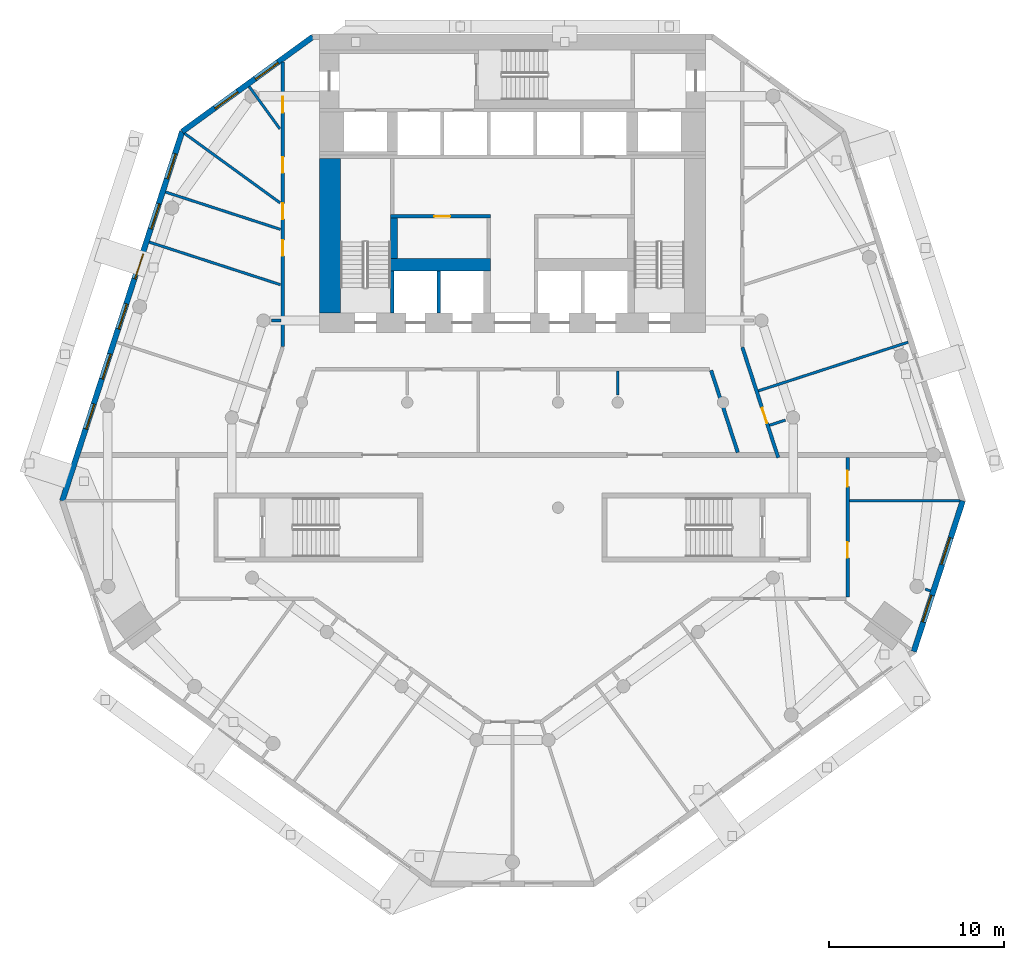
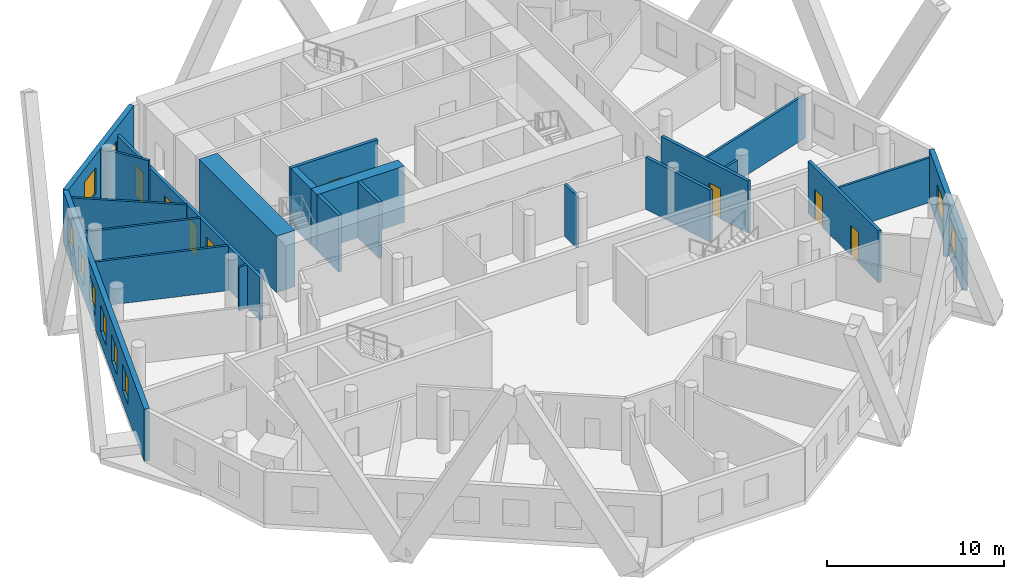
# One storey, part 5 of 10: 23 walls, 10 windows, 8 doors, 18 openings.
"""IFC4 building model written with IfcOpenShell, lengths in metres."""

from ifc_helpers import new_model, si_unit, direction, frame, frame_2d, origin, place, context, subcontext, project, spatial, rectangle, extrude, material, layer, layer_set, type_object, element, fill, save


model = new_model("IFC4")

# Units and contexts
model_context = context("Model", 3, precision=1e-05, world=origin(), true_north=direction((0.0, 1.0)))
body_context = subcontext(model_context, "Body", "Model", "MODEL_VIEW")
ifc_project = project(units=[si_unit("LENGTHUNIT", "METRE"), si_unit("AREAUNIT", "SQUARE_METRE"), si_unit("VOLUMEUNIT", "CUBIC_METRE"), si_unit("PLANEANGLEUNIT", "RADIAN"), si_unit("MASSUNIT", "GRAM", prefix="KILO")], contexts=[model_context])

# Site, building, storey
site_placement = place(None, origin())
site = spatial("IfcSite", under=ifc_project, at=site_placement, CompositionType="ELEMENT")
building_placement = place(site_placement, origin())
building = spatial("IfcBuilding", under=site, at=building_placement, Name="White Candle Pilgrim Tower", CompositionType="ELEMENT")
storey_placement = place(building_placement, frame((0.0, 0.0, 102.5)))
storey = spatial("IfcBuildingStorey", under=building, at=storey_placement, Name="L22", CompositionType="ELEMENT", Elevation=102.5)

# Wall, openings, doors
ifc_material_1 = material(Name="Gypsum board on steel studs", Category="steel")
ifc_layer_1 = layer(ifc_material_1, 0.199951171875)
ifc_layer_set_1 = layer_set([ifc_layer_1], Name="Corridor wall 200 mm EI 45")
wall_type_1 = type_object("IfcWallType", Name="Corridor wall 200 mm EI 45", PredefinedType="PARTITIONING", material=ifc_layer_set_1)
wall_1_placement = place(storey_placement, frame((56.89990234375, 70.17431640625, 0.0), z_axis=(0.0, 0.0, 1.0), x_axis=(0.0, 1.0, 0.0)))
wall_1 = element("IfcWall", 1, at=wall_1_placement, inside=storey, type_object=wall_type_1, Name="WL-L22-P003", PredefinedType="PARTITIONING", context=body_context, shape_type="SweptSolid", body=[
    extrude(rectangle(XDim=16.221923828125, YDim=0.199951171875, at=frame_2d((8.11083984375, 0.0))), origin(), (0.0, 0.0, 1.0), 3.0),
])
opening_1_placement = place(wall_1_placement, frame((5.176025390625, 0.0, 0.0)))
opening_1 = element("IfcOpeningElement", 2, at=opening_1_placement, cuts=wall_1, Name="Opening T07-119", PredefinedType="OPENING", context=body_context, shape_type="SweptSolid", body=[
    extrude(rectangle(XDim=0.89990234375, YDim=2.10009765625, at=frame_2d((0.449951171875, 1.050048828125))), frame((0.0, 0.10986328125, 0.0), z_axis=(0.0, -1.0, 0.0), x_axis=(1.0, 0.0, 0.0)), (0.0, 0.0, 1.0), 0.219970703125),
])
opening_2_placement = place(wall_1_placement, frame((7.272216796875, 0.0, 0.0)))
opening_2 = element("IfcOpeningElement", 3, at=opening_2_placement, cuts=wall_1, Name="Opening T07-120", PredefinedType="OPENING", context=body_context, shape_type="SweptSolid", body=[
    extrude(rectangle(XDim=0.89990234375, YDim=2.10009765625, at=frame_2d((0.449951171875, 1.050048828125))), frame((0.0, 0.10986328125, 0.0), z_axis=(0.0, -1.0, 0.0), x_axis=(1.0, 0.0, 0.0)), (0.0, 0.0, 1.0), 0.219970703125),
])
opening_3_placement = place(wall_1_placement, frame((9.91455078125, 0.0, 0.0)))
opening_3 = element("IfcOpeningElement", 4, at=opening_3_placement, cuts=wall_1, Name="Opening T07-121", PredefinedType="OPENING", context=body_context, shape_type="SweptSolid", body=[
    extrude(rectangle(XDim=0.89990234375, YDim=2.10009765625, at=frame_2d((0.449951171875, 1.050048828125))), frame((0.0, 0.10986328125, 0.0), z_axis=(0.0, -1.0, 0.0), x_axis=(1.0, 0.0, 0.0)), (0.0, 0.0, 1.0), 0.219970703125),
])
opening_4_placement = place(wall_1_placement, frame((13.338623046875, 0.0, 0.0)))
opening_4 = element("IfcOpeningElement", 5, at=opening_4_placement, cuts=wall_1, Name="Opening T07-122", PredefinedType="OPENING", context=body_context, shape_type="SweptSolid", body=[
    extrude(rectangle(XDim=0.89990234375, YDim=2.10009765625, at=frame_2d((0.449951171875, 1.050048828125))), frame((0.0, 0.10986328125, 0.0), z_axis=(0.0, -1.0, 0.0), x_axis=(1.0, 0.0, 0.0)), (0.0, 0.0, 1.0), 0.219970703125),
])
ifc_material_2 = material(Name="Steel door leaf", Category="steel")
door_type = type_object("IfcDoorType", Name="Fire door 900 x 2100 EI 30", OperationType="NOTDEFINED", PredefinedType="DOOR", material=ifc_material_2)
door_1_placement = place(opening_1_placement, origin())
door_1 = element("IfcDoor", 6, at=door_1_placement, inside=storey, type_object=door_type, Name="Door T07-119", OperationType="SINGLE_SWING_LEFT", OverallHeight=2.10009765625, OverallWidth=0.89990234375, PredefinedType="DOOR", context=body_context, shape_type="SweptSolid", body=[
    extrude(rectangle(XDim=0.89990234375, YDim=2.10009765625, at=frame_2d((0.449951171875, 1.050048828125))), frame((0.0, 0.02490234375, 0.0), z_axis=(0.0, -1.0, 0.0), x_axis=(1.0, 0.0, 0.0)), (0.0, 0.0, 1.0), 0.050048828125),
])
fill(opening_1, door_1)
door_2_placement = place(opening_2_placement, origin())
door_2 = element("IfcDoor", 7, at=door_2_placement, inside=storey, type_object=door_type, Name="Door T07-120", OperationType="SINGLE_SWING_RIGHT", OverallHeight=2.10009765625, OverallWidth=0.89990234375, PredefinedType="DOOR", context=body_context, shape_type="SweptSolid", body=[
    extrude(rectangle(XDim=0.89990234375, YDim=2.10009765625, at=frame_2d((0.449951171875, 1.050048828125))), frame((0.0, 0.02490234375, 0.0), z_axis=(0.0, -1.0, 0.0), x_axis=(1.0, 0.0, 0.0)), (0.0, 0.0, 1.0), 0.050048828125),
])
fill(opening_2, door_2)
door_3_placement = place(opening_3_placement, origin())
door_3 = element("IfcDoor", 8, at=door_3_placement, inside=storey, type_object=door_type, Name="Door T07-121", OperationType="SINGLE_SWING_LEFT", OverallHeight=2.10009765625, OverallWidth=0.89990234375, PredefinedType="DOOR", context=body_context, shape_type="SweptSolid", body=[
    extrude(rectangle(XDim=0.89990234375, YDim=2.10009765625, at=frame_2d((0.449951171875, 1.050048828125))), frame((0.0, 0.02490234375, 0.0), z_axis=(0.0, -1.0, 0.0), x_axis=(1.0, 0.0, 0.0)), (0.0, 0.0, 1.0), 0.050048828125),
])
fill(opening_3, door_3)
door_4_placement = place(opening_4_placement, origin())
door_4 = element("IfcDoor", 9, at=door_4_placement, inside=storey, type_object=door_type, Name="Door T07-122", OperationType="SINGLE_SWING_RIGHT", OverallHeight=2.10009765625, OverallWidth=0.89990234375, PredefinedType="DOOR", context=body_context, shape_type="SweptSolid", body=[
    extrude(rectangle(XDim=0.89990234375, YDim=2.10009765625, at=frame_2d((0.449951171875, 1.050048828125))), frame((0.0, 0.02490234375, 0.0), z_axis=(0.0, -1.0, 0.0), x_axis=(1.0, 0.0, 0.0)), (0.0, 0.0, 1.0), 0.050048828125),
])
fill(opening_4, door_4)

# Wall, opening, door
wall_2_placement = place(storey_placement, frame((83.10498046875, 70.143310546875, 0.0), z_axis=(0.0, 0.0, 1.0), x_axis=(0.309001809517, -0.951061450021, 0.0)))
wall_2 = element("IfcWall", 10, at=wall_2_placement, inside=storey, type_object=wall_type_1, Name="WL-L22-P005", PredefinedType="PARTITIONING", context=body_context, shape_type="SweptSolid", body=[
    extrude(rectangle(XDim=6.616943359375, YDim=0.199951171875, at=frame_2d((3.30859375, 0.0))), origin(), (0.0, 0.0, 1.0), 3.60009765625),
])
opening_5_placement = place(wall_2_placement, frame((3.640869140625, 0.0, 0.0)))
opening_5 = element("IfcOpeningElement", 11, at=opening_5_placement, cuts=wall_2, Name="Opening T07-126", PredefinedType="OPENING", context=body_context, shape_type="SweptSolid", body=[
    extrude(rectangle(XDim=0.89990234375, YDim=2.10009765625, at=frame_2d((0.449951171875, 1.050048828125))), frame((0.0, 0.10986328125, 0.0), z_axis=(0.0, -1.0, 0.0), x_axis=(1.0, 0.0, 0.0)), (0.0, 0.0, 1.0), 0.219970703125),
])
door_5_placement = place(opening_5_placement, origin())
door_5 = element("IfcDoor", 12, at=door_5_placement, inside=storey, type_object=door_type, Name="Door T07-126", OperationType="SINGLE_SWING_RIGHT", OverallHeight=2.10009765625, OverallWidth=0.89990234375, PredefinedType="DOOR", context=body_context, shape_type="SweptSolid", body=[
    extrude(rectangle(XDim=0.89990234375, YDim=2.10009765625, at=frame_2d((0.449951171875, 1.050048828125))), frame((0.0, 0.02490234375, 0.0), z_axis=(0.0, -1.0, 0.0), x_axis=(1.0, 0.0, 0.0)), (0.0, 0.0, 1.0), 0.050048828125),
])
fill(opening_5, door_5)

# Wall, openings, doors
wall_3_placement = place(storey_placement, frame((89.10009765625, 63.85009765625, 0.0), z_axis=(0.0, 0.0, 1.0), x_axis=(0.0, -1.0, 0.0)))
wall_3 = element("IfcWall", 13, at=wall_3_placement, inside=storey, type_object=wall_type_1, Name="WL-L22-P006", PredefinedType="PARTITIONING", context=body_context, shape_type="SweptSolid", body=[
    extrude(rectangle(XDim=7.9501953125, YDim=0.199951171875, at=frame_2d((3.97509765625, 0.0))), origin(), (0.0, 0.0, 1.0), 3.60009765625),
])
opening_6_placement = place(wall_3_placement, frame((4.806640625, 0.0, 0.0)))
opening_6 = element("IfcOpeningElement", 14, at=opening_6_placement, cuts=wall_3, Name="Opening T07-112", PredefinedType="OPENING", context=body_context, shape_type="SweptSolid", body=[
    extrude(rectangle(XDim=0.89990234375, YDim=2.10009765625, at=frame_2d((0.449951171875, 1.050048828125))), frame((0.0, 0.10986328125, 0.0), z_axis=(0.0, -1.0, 0.0), x_axis=(1.0, 0.0, 0.0)), (0.0, 0.0, 1.0), 0.219970703125),
])
opening_7_placement = place(wall_3_placement, frame((0.744140625, 0.0, 0.0)))
opening_7 = element("IfcOpeningElement", 15, at=opening_7_placement, cuts=wall_3, Name="Opening T07-127", PredefinedType="OPENING", context=body_context, shape_type="SweptSolid", body=[
    extrude(rectangle(XDim=0.89990234375, YDim=2.10009765625, at=frame_2d((0.449951171875, 1.050048828125))), frame((0.0, 0.10986328125, 0.0), z_axis=(0.0, -1.0, 0.0), x_axis=(1.0, 0.0, 0.0)), (0.0, 0.0, 1.0), 0.219970703125),
])
door_6_placement = place(opening_6_placement, origin())
door_6 = element("IfcDoor", 16, at=door_6_placement, inside=storey, type_object=door_type, Name="Door T07-112", OperationType="SINGLE_SWING_RIGHT", OverallHeight=2.10009765625, OverallWidth=0.89990234375, PredefinedType="DOOR", context=body_context, shape_type="SweptSolid", body=[
    extrude(rectangle(XDim=0.89990234375, YDim=2.10009765625, at=frame_2d((0.449951171875, 1.050048828125))), frame((0.0, 0.02490234375, 0.0), z_axis=(0.0, -1.0, 0.0), x_axis=(1.0, 0.0, 0.0)), (0.0, 0.0, 1.0), 0.050048828125),
])
fill(opening_6, door_6)
door_7_placement = place(opening_7_placement, origin())
door_7 = element("IfcDoor", 17, at=door_7_placement, inside=storey, type_object=door_type, Name="Door T07-127", OperationType="SINGLE_SWING_LEFT", OverallHeight=2.10009765625, OverallWidth=0.89990234375, PredefinedType="DOOR", context=body_context, shape_type="SweptSolid", body=[
    extrude(rectangle(XDim=0.89990234375, YDim=2.10009765625, at=frame_2d((0.449951171875, 1.050048828125))), frame((0.0, 0.02490234375, 0.0), z_axis=(0.0, -1.0, 0.0), x_axis=(1.0, 0.0, 0.0)), (0.0, 0.0, 1.0), 0.050048828125),
])
fill(opening_7, door_7)

# Wall
wall_4_placement = place(storey_placement, frame((82.84423828125, 64.14990234375, 0.0), z_axis=(0.0, 0.0, 1.0), x_axis=(-0.309031112369, 0.951051928965, 0.0)))
element("IfcWall", 18, at=wall_4_placement, inside=storey, type_object=wall_type_1, Name="WL-L22-P015", PredefinedType="PARTITIONING", context=body_context, shape_type="SweptSolid", body=[
    extrude(rectangle(XDim=4.921875, YDim=0.199951171875, at=frame_2d((2.4609375, 0.0))), origin(), (0.0, 0.0, 1.0), 3.60009765625),
])

# Wall, openings, windows
ifc_material_3 = material(Name="Precast concrete C40/50", Category="concrete")
ifc_layer_2 = layer(ifc_material_3, 0.320068359375)
ifc_layer_set_2 = layer_set([ifc_layer_2], Name="Facade wall EW1 precast concrete C40/50 pier wall with timber-lined reveals")
wall_type_2 = type_object("IfcWallType", Name="Facade wall EW1 precast concrete C40/50 pier wall with timber-lined reveals", PredefinedType="SOLIDWALL", material=ifc_layer_set_2)
wall_5_placement = place(storey_placement, frame((92.875732421875, 52.800537109375, 0.0), z_axis=(0.0, 0.0, 1.0), x_axis=(0.309014528868, 0.951057317384, 0.0)))
wall_5 = element("IfcWall", 19, at=wall_5_placement, inside=storey, type_object=wall_type_2, Name="Facade wall L22 E chamfer", PredefinedType="SOLIDWALL", context=body_context, shape_type="SweptSolid", body=[
    extrude(rectangle(XDim=9.028076171875, YDim=0.320068359375, at=frame_2d((4.51416015625, 0.0))), origin(), (0.0, 0.0, 1.0), 3.60009765625),
])
opening_8_placement = place(wall_5_placement, frame((1.763916015625, 0.0, 0.89990234375)))
opening_8 = element("IfcOpeningElement", 20, at=opening_8_placement, cuts=wall_5, Name="Opening W2", PredefinedType="OPENING", context=body_context, shape_type="SweptSolid", body=[
    extrude(rectangle(XDim=1.60009765625, YDim=1.800048828125, at=frame_2d((0.800048828125, 0.89990234375))), frame((0.0, 0.169921875, 0.0), z_axis=(0.0, -1.0, 0.0), x_axis=(1.0, 0.0, 0.0)), (0.0, 0.0, 1.0), 0.340087890625),
])
opening_9_placement = place(wall_5_placement, frame((5.214111328125, 0.0, 0.89990234375)))
opening_9 = element("IfcOpeningElement", 21, at=opening_9_placement, cuts=wall_5, Name="Opening W2", PredefinedType="OPENING", context=body_context, shape_type="SweptSolid", body=[
    extrude(rectangle(XDim=1.60009765625, YDim=1.800048828125, at=frame_2d((0.800048828125, 0.89990234375))), frame((0.0, 0.169921875, 0.0), z_axis=(0.0, -1.0, 0.0), x_axis=(1.0, 0.0, 0.0)), (0.0, 0.0, 1.0), 0.340087890625),
])
ifc_material_4 = material(Name="Timber frame with triple glazing", Category="wood")
window_type_1 = type_object("IfcWindowType", Name="Window W2 1600x1800 timber frame triple glazing", PartitioningType="SINGLE_PANEL", PredefinedType="WINDOW", material=ifc_material_4)
window_1_placement = place(opening_8_placement, origin())
window_1 = element("IfcWindow", 22, at=window_1_placement, inside=storey, type_object=window_type_1, Name="Window W2 L22 E chamfer 1", OverallHeight=1.800048828125, OverallWidth=1.60009765625, PartitioningType="SINGLE_PANEL", PredefinedType="WINDOW", context=body_context, shape_type="SweptSolid", body=[
    extrude(rectangle(XDim=1.60009765625, YDim=1.800048828125, at=frame_2d((0.800048828125, 0.89990234375))), frame((0.0, 0.070068359375, 0.0), z_axis=(0.0, -1.0, 0.0), x_axis=(1.0, 0.0, 0.0)), (0.0, 0.0, 1.0), 0.06005859375),
])
fill(opening_8, window_1)
window_2_placement = place(opening_9_placement, origin())
window_2 = element("IfcWindow", 23, at=window_2_placement, inside=storey, type_object=window_type_1, Name="Window W2 L22 E chamfer 2", OverallHeight=1.800048828125, OverallWidth=1.60009765625, PartitioningType="SINGLE_PANEL", PredefinedType="WINDOW", context=body_context, shape_type="SweptSolid", body=[
    extrude(rectangle(XDim=1.60009765625, YDim=1.800048828125, at=frame_2d((0.800048828125, 0.89990234375))), frame((0.0, 0.070068359375, 0.0), z_axis=(0.0, -1.0, 0.0), x_axis=(1.0, 0.0, 0.0)), (0.0, 0.0, 1.0), 0.06005859375),
])
fill(opening_9, window_2)

wall_6_placement = place(storey_placement, frame((58.614990234375, 87.840087890625, 0.0), z_axis=(0.0, 0.0, 1.0), x_axis=(-0.809006846007, -0.587799220069, 0.0)))
wall_6 = element("IfcWall", 24, at=wall_6_placement, inside=storey, type_object=wall_type_2, Name="Facade wall L22 NW chamfer", PredefinedType="SOLIDWALL", context=body_context, shape_type="SweptSolid", body=[
    extrude(rectangle(XDim=9.19921875, YDim=0.320068359375, at=frame_2d((4.599609375, 0.0))), origin(), (0.0, 0.0, 1.0), 3.60009765625),
])
opening_10_placement = place(wall_6_placement, frame((2.459716796875, 0.0, 0.89990234375)))
opening_10 = element("IfcOpeningElement", 25, at=opening_10_placement, cuts=wall_6, Name="Opening W2", PredefinedType="OPENING", context=body_context, shape_type="SweptSolid", body=[
    extrude(rectangle(XDim=1.60009765625, YDim=1.800048828125, at=frame_2d((0.800048828125, 0.89990234375))), frame((0.0, 0.169921875, 0.0), z_axis=(0.0, -1.0, 0.0), x_axis=(1.0, 0.0, 0.0)), (0.0, 0.0, 1.0), 0.340087890625),
])
opening_11_placement = place(wall_6_placement, frame((5.299560546875, 0.0, 0.89990234375)))
opening_11 = element("IfcOpeningElement", 26, at=opening_11_placement, cuts=wall_6, Name="Opening W2", PredefinedType="OPENING", context=body_context, shape_type="SweptSolid", body=[
    extrude(rectangle(XDim=1.60009765625, YDim=1.800048828125, at=frame_2d((0.800048828125, 0.89990234375))), frame((0.0, 0.169921875, 0.0), z_axis=(0.0, -1.0, 0.0), x_axis=(1.0, 0.0, 0.0)), (0.0, 0.0, 1.0), 0.340087890625),
])
window_3_placement = place(opening_10_placement, origin())
window_3 = element("IfcWindow", 27, at=window_3_placement, inside=storey, type_object=window_type_1, Name="Window W2 L22 NW chamfer 1", OverallHeight=1.800048828125, OverallWidth=1.60009765625, PartitioningType="SINGLE_PANEL", PredefinedType="WINDOW", context=body_context, shape_type="SweptSolid", body=[
    extrude(rectangle(XDim=1.60009765625, YDim=1.800048828125, at=frame_2d((0.800048828125, 0.89990234375))), frame((0.0, 0.070068359375, 0.0), z_axis=(0.0, -1.0, 0.0), x_axis=(1.0, 0.0, 0.0)), (0.0, 0.0, 1.0), 0.06005859375),
])
fill(opening_10, window_3)
window_4_placement = place(opening_11_placement, origin())
window_4 = element("IfcWindow", 28, at=window_4_placement, inside=storey, type_object=window_type_1, Name="Window W2 L22 NW chamfer 2", OverallHeight=1.800048828125, OverallWidth=1.60009765625, PartitioningType="SINGLE_PANEL", PredefinedType="WINDOW", context=body_context, shape_type="SweptSolid", body=[
    extrude(rectangle(XDim=1.60009765625, YDim=1.800048828125, at=frame_2d((0.800048828125, 0.89990234375))), frame((0.0, 0.070068359375, 0.0), z_axis=(0.0, -1.0, 0.0), x_axis=(1.0, 0.0, 0.0)), (0.0, 0.0, 1.0), 0.06005859375),
])
fill(opening_11, window_4)

wall_7_placement = place(storey_placement, frame((51.1728515625, 82.432861328125, 0.0), z_axis=(0.0, 0.0, 1.0), x_axis=(-0.30901996398, -0.951055551407, 0.0)))
wall_7 = element("IfcWall", 29, at=wall_7_placement, inside=storey, type_object=wall_type_2, Name="Facade wall L22 WNW", PredefinedType="SOLIDWALL", context=body_context, shape_type="SweptSolid", body=[
    extrude(rectangle(XDim=22.129150390625, YDim=0.320068359375, at=frame_2d((11.064453125, 0.0))), origin(), (0.0, 0.0, 1.0), 3.60009765625),
])
opening_12_placement = place(wall_7_placement, frame((1.314697265625, 0.0, 0.89990234375)))
opening_12 = element("IfcOpeningElement", 30, at=opening_12_placement, cuts=wall_7, Name="Opening W1", PredefinedType="OPENING", context=body_context, shape_type="SweptSolid", body=[
    extrude(rectangle(XDim=1.5, YDim=1.800048828125, at=frame_2d((0.75, 0.89990234375))), frame((0.0, 0.169921875, 0.0), z_axis=(0.0, -1.0, 0.0), x_axis=(1.0, 0.0, 0.0)), (0.0, 0.0, 1.0), 0.340087890625),
])
opening_13_placement = place(wall_7_placement, frame((4.314697265625, 0.0, 0.89990234375)))
opening_13 = element("IfcOpeningElement", 31, at=opening_13_placement, cuts=wall_7, Name="Opening W1", PredefinedType="OPENING", context=body_context, shape_type="SweptSolid", body=[
    extrude(rectangle(XDim=1.5, YDim=1.800048828125, at=frame_2d((0.75, 0.89990234375))), frame((0.0, 0.169921875, 0.0), z_axis=(0.0, -1.0, 0.0), x_axis=(1.0, 0.0, 0.0)), (0.0, 0.0, 1.0), 0.340087890625),
])
opening_14_placement = place(wall_7_placement, frame((7.314697265625, 0.0, 0.89990234375)))
opening_14 = element("IfcOpeningElement", 32, at=opening_14_placement, cuts=wall_7, Name="Opening W1", PredefinedType="OPENING", context=body_context, shape_type="SweptSolid", body=[
    extrude(rectangle(XDim=1.5, YDim=1.800048828125, at=frame_2d((0.75, 0.89990234375))), frame((0.0, 0.169921875, 0.0), z_axis=(0.0, -1.0, 0.0), x_axis=(1.0, 0.0, 0.0)), (0.0, 0.0, 1.0), 0.340087890625),
])
opening_15_placement = place(wall_7_placement, frame((10.314697265625, 0.0, 0.89990234375)))
opening_15 = element("IfcOpeningElement", 33, at=opening_15_placement, cuts=wall_7, Name="Opening W1", PredefinedType="OPENING", context=body_context, shape_type="SweptSolid", body=[
    extrude(rectangle(XDim=1.5, YDim=1.800048828125, at=frame_2d((0.75, 0.89990234375))), frame((0.0, 0.169921875, 0.0), z_axis=(0.0, -1.0, 0.0), x_axis=(1.0, 0.0, 0.0)), (0.0, 0.0, 1.0), 0.340087890625),
])
opening_16_placement = place(wall_7_placement, frame((13.314697265625, 0.0, 0.89990234375)))
opening_16 = element("IfcOpeningElement", 34, at=opening_16_placement, cuts=wall_7, Name="Opening W1", PredefinedType="OPENING", context=body_context, shape_type="SweptSolid", body=[
    extrude(rectangle(XDim=1.5, YDim=1.800048828125, at=frame_2d((0.75, 0.89990234375))), frame((0.0, 0.169921875, 0.0), z_axis=(0.0, -1.0, 0.0), x_axis=(1.0, 0.0, 0.0)), (0.0, 0.0, 1.0), 0.340087890625),
])
opening_17_placement = place(wall_7_placement, frame((16.314697265625, 0.0, 0.89990234375)))
opening_17 = element("IfcOpeningElement", 35, at=opening_17_placement, cuts=wall_7, Name="Opening W1", PredefinedType="OPENING", context=body_context, shape_type="SweptSolid", body=[
    extrude(rectangle(XDim=1.5, YDim=1.800048828125, at=frame_2d((0.75, 0.89990234375))), frame((0.0, 0.169921875, 0.0), z_axis=(0.0, -1.0, 0.0), x_axis=(1.0, 0.0, 0.0)), (0.0, 0.0, 1.0), 0.340087890625),
])
window_type_2 = type_object("IfcWindowType", Name="Window W1 1500x1800 timber frame triple glazing", PartitioningType="SINGLE_PANEL", PredefinedType="WINDOW", material=ifc_material_4)
window_5_placement = place(opening_12_placement, origin())
window_5 = element("IfcWindow", 36, at=window_5_placement, inside=storey, type_object=window_type_2, Name="Window W1 L22 WNW 1", OverallHeight=1.800048828125, OverallWidth=1.5, PartitioningType="SINGLE_PANEL", PredefinedType="WINDOW", context=body_context, shape_type="SweptSolid", body=[
    extrude(rectangle(XDim=1.5, YDim=1.800048828125, at=frame_2d((0.75, 0.89990234375))), frame((0.0, 0.070068359375, 0.0), z_axis=(0.0, -1.0, 0.0), x_axis=(1.0, 0.0, 0.0)), (0.0, 0.0, 1.0), 0.06005859375),
])
fill(opening_12, window_5)
window_6_placement = place(opening_13_placement, origin())
window_6 = element("IfcWindow", 37, at=window_6_placement, inside=storey, type_object=window_type_2, Name="Window W1 L22 WNW 2", OverallHeight=1.800048828125, OverallWidth=1.5, PartitioningType="SINGLE_PANEL", PredefinedType="WINDOW", context=body_context, shape_type="SweptSolid", body=[
    extrude(rectangle(XDim=1.5, YDim=1.800048828125, at=frame_2d((0.75, 0.89990234375))), frame((0.0, 0.070068359375, 0.0), z_axis=(0.0, -1.0, 0.0), x_axis=(1.0, 0.0, 0.0)), (0.0, 0.0, 1.0), 0.06005859375),
])
fill(opening_13, window_6)
window_7_placement = place(opening_14_placement, origin())
window_7 = element("IfcWindow", 38, at=window_7_placement, inside=storey, type_object=window_type_2, Name="Window W1 L22 WNW 3", OverallHeight=1.800048828125, OverallWidth=1.5, PartitioningType="SINGLE_PANEL", PredefinedType="WINDOW", context=body_context, shape_type="SweptSolid", body=[
    extrude(rectangle(XDim=1.5, YDim=1.800048828125, at=frame_2d((0.75, 0.89990234375))), frame((0.0, 0.070068359375, 0.0), z_axis=(0.0, -1.0, 0.0), x_axis=(1.0, 0.0, 0.0)), (0.0, 0.0, 1.0), 0.06005859375),
])
fill(opening_14, window_7)
window_8_placement = place(opening_15_placement, origin())
window_8 = element("IfcWindow", 39, at=window_8_placement, inside=storey, type_object=window_type_2, Name="Window W1 L22 WNW 4", OverallHeight=1.800048828125, OverallWidth=1.5, PartitioningType="SINGLE_PANEL", PredefinedType="WINDOW", context=body_context, shape_type="SweptSolid", body=[
    extrude(rectangle(XDim=1.5, YDim=1.800048828125, at=frame_2d((0.75, 0.89990234375))), frame((0.0, 0.070068359375, 0.0), z_axis=(0.0, -1.0, 0.0), x_axis=(1.0, 0.0, 0.0)), (0.0, 0.0, 1.0), 0.06005859375),
])
fill(opening_15, window_8)
window_9_placement = place(opening_16_placement, origin())
window_9 = element("IfcWindow", 40, at=window_9_placement, inside=storey, type_object=window_type_2, Name="Window W1 L22 WNW 5", OverallHeight=1.800048828125, OverallWidth=1.5, PartitioningType="SINGLE_PANEL", PredefinedType="WINDOW", context=body_context, shape_type="SweptSolid", body=[
    extrude(rectangle(XDim=1.5, YDim=1.800048828125, at=frame_2d((0.75, 0.89990234375))), frame((0.0, 0.070068359375, 0.0), z_axis=(0.0, -1.0, 0.0), x_axis=(1.0, 0.0, 0.0)), (0.0, 0.0, 1.0), 0.06005859375),
])
fill(opening_16, window_9)
window_10_placement = place(opening_17_placement, origin())
window_10 = element("IfcWindow", 41, at=window_10_placement, inside=storey, type_object=window_type_2, Name="Window W1 L22 WNW 6", OverallHeight=1.800048828125, OverallWidth=1.5, PartitioningType="SINGLE_PANEL", PredefinedType="WINDOW", context=body_context, shape_type="SweptSolid", body=[
    extrude(rectangle(XDim=1.5, YDim=1.800048828125, at=frame_2d((0.75, 0.89990234375))), frame((0.0, 0.070068359375, 0.0), z_axis=(0.0, -1.0, 0.0), x_axis=(1.0, 0.0, 0.0)), (0.0, 0.0, 1.0), 0.06005859375),
])
fill(opening_17, window_10)

# Walls
ifc_layer_3 = layer(ifc_material_1, 0.14990234375)
ifc_layer_set_3 = layer_set([ifc_layer_3], Name="Partition 150 mm EI 60")
wall_type_3 = type_object("IfcWallType", Name="Partition 150 mm EI 60", PredefinedType="PARTITIONING", material=ifc_layer_set_3)
wall_8_placement = place(storey_placement, frame((51.308837890625, 82.333984375, 0.0), z_axis=(0.0, 0.0, 1.0), x_axis=(0.809015103539, -0.587787854796, 0.0)))
element("IfcWall", 42, at=wall_8_placement, inside=storey, type_object=wall_type_3, Name="WL-L22-P016", PredefinedType="PARTITIONING", context=body_context, shape_type="SweptSolid", body=[
    extrude(rectangle(XDim=6.73291015625, YDim=0.14990234375, at=frame_2d((3.366455078125, 0.0))), origin(), (0.0, 0.0, 1.0), 3.10009765625),
])
wall_9_placement = place(storey_placement, frame((95.497314453125, 61.38671875, 0.0), z_axis=(0.0, 0.0, 1.0), x_axis=(-1.0, 0.0, 0.0)))
element("IfcWall", 43, at=wall_9_placement, inside=storey, type_object=wall_type_3, Name="WL-L22-P022", PredefinedType="PARTITIONING", context=body_context, shape_type="SweptSolid", body=[
    extrude(rectangle(XDim=6.29736328125, YDim=0.14990234375, at=frame_2d((3.148681640625, 0.0))), origin(), (0.0, 0.0, 1.0), 3.10009765625),
])
wall_10_placement = place(storey_placement, frame((54.98779296875, 85.007080078125, 0.0), z_axis=(0.0, 0.0, 1.0), x_axis=(0.587791638005, -0.809012354845, 0.0)))
element("IfcWall", 44, at=wall_10_placement, inside=storey, type_object=wall_type_3, Name="WL-L22-P024", PredefinedType="PARTITIONING", context=body_context, shape_type="SweptSolid", body=[
    extrude(rectangle(XDim=2.979736328125, YDim=0.14990234375, at=frame_2d((1.48974609375, 0.0))), origin(), (0.0, 0.0, 1.0), 3.60009765625),
])
wall_11_placement = place(storey_placement, frame((50.223388671875, 78.993408203125, 0.0), z_axis=(0.0, 0.0, 1.0), x_axis=(0.951054635807, -0.309022781862, 0.0)))
element("IfcWall", 45, at=wall_11_placement, inside=storey, type_object=wall_type_3, Name="WL-L22-P025", PredefinedType="PARTITIONING", context=body_context, shape_type="SweptSolid", body=[
    extrude(rectangle(XDim=6.890625, YDim=0.14990234375, at=frame_2d((3.4453125, 0.0))), origin(), (0.0, 0.0, 1.0), 3.10009765625),
])
wall_12_placement = place(storey_placement, frame((49.29638671875, 76.14013671875, 0.0), z_axis=(0.0, 0.0, 1.0), x_axis=(0.951061437635, -0.309001847639, 0.0)))
element("IfcWall", 46, at=wall_12_placement, inside=storey, type_object=wall_type_3, Name="WL-L22-P026", PredefinedType="PARTITIONING", context=body_context, shape_type="SweptSolid", body=[
    extrude(rectangle(XDim=7.865478515625, YDim=0.14990234375, at=frame_2d((3.9326171875, 0.0))), origin(), (0.0, 0.0, 1.0), 3.10009765625),
])
wall_13_placement = place(storey_placement, frame((92.557861328125, 70.433837890625, 0.0), z_axis=(0.0, 0.0, 1.0), x_axis=(-0.951059239389, -0.309008613427, 0.0)))
element("IfcWall", 47, at=wall_13_placement, inside=storey, type_object=wall_type_3, Name="WL-L22-P035", PredefinedType="PARTITIONING", context=body_context, shape_type="SweptSolid", body=[
    extrude(rectangle(XDim=8.97998046875, YDim=0.14990234375, at=frame_2d((4.489990234375, 0.0))), origin(), (0.0, 0.0, 1.0), 3.0),
])
wall_14_placement = place(storey_placement, frame((93.52490234375, 56.35498046875, 0.0), z_axis=(0.0, 0.0, 1.0), x_axis=(0.950866223674, -0.309602042428, 0.0)))
element("IfcWall", 48, at=wall_14_placement, inside=storey, type_object=wall_type_3, Name="WL-L22-P045", PredefinedType="PARTITIONING", context=body_context, shape_type="SweptSolid", body=[
    extrude(rectangle(XDim=0.321044921875, YDim=0.14990234375, at=frame_2d((0.16064453125, 0.0))), origin(), (0.0, 0.0, 1.0), 3.60009765625),
])
wall_15_placement = place(storey_placement, frame((85.558837890625, 65.992919921875, 0.0), z_axis=(0.0, 0.0, 1.0), x_axis=(-0.951068009431, -0.308981619901, 0.0)))
element("IfcWall", 49, at=wall_15_placement, inside=storey, type_object=wall_type_3, Name="WL-L22-P049", PredefinedType="PARTITIONING", context=body_context, shape_type="SweptSolid", body=[
    extrude(rectangle(XDim=0.951416015625, YDim=0.14990234375, at=frame_2d((0.4755859375, 0.0))), origin(), (0.0, 0.0, 1.0), 3.60009765625),
])
wall_16_placement = place(storey_placement, frame((56.264892578125, 71.67236328125, 0.0), z_axis=(0.0, 0.0, 1.0), x_axis=(1.0, 0.0, 0.0)))
element("IfcWall", 50, at=wall_16_placement, inside=storey, type_object=wall_type_3, Name="WL-L22-P051", PredefinedType="PARTITIONING", context=body_context, shape_type="SweptSolid", body=[
    extrude(rectangle(XDim=0.53515625, YDim=0.14990234375, at=frame_2d((0.267578125, 0.0))), origin(), (0.0, 0.0, 1.0), 3.0),
])
wall_17_placement = place(storey_placement, frame((75.997802734375, 67.4150390625, 0.0), z_axis=(0.0, 0.0, 1.0), x_axis=(0.0, 1.0, 0.0)))
element("IfcWall", 51, at=wall_17_placement, inside=storey, type_object=wall_type_3, Name="WL-L22-P055", PredefinedType="PARTITIONING", context=body_context, shape_type="SweptSolid", body=[
    extrude(rectangle(XDim=1.385009765625, YDim=0.14990234375, at=frame_2d((0.6923828125, 0.0))), origin(), (0.0, 0.0, 1.0), 3.60009765625),
])
ifc_material_5 = material(Name="Concrete C60/75", Category="concrete")
ifc_layer_4 = layer(ifc_material_5, 0.199951171875)
ifc_layer_set_4 = layer_set([ifc_layer_4], Name="Shaft wall 200 mm Concrete C60/75")
wall_type_4 = type_object("IfcWallType", Name="Shaft wall 200 mm Concrete C60/75", PredefinedType="SHEAR", material=ifc_layer_set_4)
wall_18_placement = place(storey_placement, frame((65.800048828125, 72.10009765625, 0.0), z_axis=(0.0, 0.0, 1.0), x_axis=(0.0, 1.0, 0.0)))
element("IfcWall", 52, at=wall_18_placement, inside=storey, type_object=wall_type_4, Name="WL-L22-C14", PredefinedType="SHEAR", context=body_context, shape_type="SweptSolid", body=[
    extrude(rectangle(XDim=2.39990234375, YDim=0.199951171875, at=frame_2d((1.199951171875, 0.0))), origin(), (0.0, 0.0, 1.0), 3.89990234375),
])
ifc_layer_5 = layer(ifc_material_5, 1.199951171875)
ifc_layer_set_5 = layer_set([ifc_layer_5], Name="Stair shaft wall 1200 mm Concrete C60/75")
wall_type_5 = type_object("IfcWallType", Name="Stair shaft wall 1200 mm Concrete C60/75", PredefinedType="SHEAR", material=ifc_layer_set_5)
wall_19_placement = place(storey_placement, frame((59.60009765625, 72.10009765625, 0.0), z_axis=(0.0, 0.0, 1.0), x_axis=(0.0, 1.0, 0.0)))
element("IfcWall", 53, at=wall_19_placement, inside=storey, type_object=wall_type_5, Name="WL-L22-C12", PredefinedType="SHEAR", context=body_context, shape_type="SweptSolid", body=[
    extrude(rectangle(XDim=8.7998046875, YDim=1.199951171875, at=frame_2d((4.39990234375, 0.0))), origin(), (0.0, 0.0, 1.0), 3.89990234375),
])
ifc_layer_6 = layer(ifc_material_5, 0.199951171875)
ifc_layer_set_6 = layer_set([ifc_layer_6], Name="Stair shaft wall 200 mm Concrete C60/75")
wall_type_6 = type_object("IfcWallType", Name="Stair shaft wall 200 mm Concrete C60/75", PredefinedType="SHEAR", material=ifc_layer_set_6)
wall_20_placement = place(storey_placement, frame((63.14990234375, 72.10009765625, 0.0), z_axis=(0.0, 0.0, 1.0), x_axis=(0.0, 1.0, 0.0)))
element("IfcWall", 54, at=wall_20_placement, inside=storey, type_object=wall_type_6, Name="WL-L22-C13", PredefinedType="SHEAR", context=body_context, shape_type="SweptSolid", body=[
    extrude(rectangle(XDim=2.39990234375, YDim=0.199951171875, at=frame_2d((1.199951171875, 0.0))), origin(), (0.0, 0.0, 1.0), 3.89990234375),
])

# Wall, opening, door
wall_21_placement = place(storey_placement, frame((63.050048828125, 77.60009765625, 0.0), z_axis=(0.0, 0.0, 1.0), x_axis=(1.0, 0.0, 0.0)))
wall_21 = element("IfcWall", 55, at=wall_21_placement, inside=storey, type_object=wall_type_6, Name="WL-L22-C26", PredefinedType="SHEAR", context=body_context, shape_type="SweptSolid", body=[
    extrude(rectangle(XDim=5.699951171875, YDim=0.199951171875, at=frame_2d((2.85009765625, 0.0))), origin(), (0.0, 0.0, 1.0), 3.89990234375),
])
opening_18_placement = place(wall_21_placement, frame((2.5, 0.0, 0.0)))
opening_18 = element("IfcOpeningElement", 56, at=opening_18_placement, cuts=wall_21, Name="Opening T07-020", PredefinedType="OPENING", context=body_context, shape_type="SweptSolid", body=[
    extrude(rectangle(XDim=0.89990234375, YDim=2.10009765625, at=frame_2d((0.449951171875, 1.050048828125))), frame((0.0, 0.10986328125, 0.0), z_axis=(0.0, -1.0, 0.0), x_axis=(1.0, 0.0, 0.0)), (0.0, 0.0, 1.0), 0.219970703125),
])
door_8_placement = place(opening_18_placement, origin())
door_8 = element("IfcDoor", 57, at=door_8_placement, inside=storey, type_object=door_type, Name="Door T07-020", OperationType="SINGLE_SWING_RIGHT", OverallHeight=2.10009765625, OverallWidth=0.89990234375, PredefinedType="DOOR", context=body_context, shape_type="SweptSolid", body=[
    extrude(rectangle(XDim=0.89990234375, YDim=2.10009765625, at=frame_2d((0.449951171875, 1.050048828125))), frame((0.0, 0.02490234375, 0.0), z_axis=(0.0, -1.0, 0.0), x_axis=(1.0, 0.0, 0.0)), (0.0, 0.0, 1.0), 0.050048828125),
])
fill(opening_18, door_8)

# Walls
ifc_layer_7 = layer(ifc_material_5, 0.39990234375)
ifc_layer_set_7 = layer_set([ifc_layer_7], Name="Stair shaft wall 400 mm Concrete C60/75")
wall_type_7 = type_object("IfcWallType", Name="Stair shaft wall 400 mm Concrete C60/75", PredefinedType="SHEAR", material=ifc_layer_set_7)
wall_22_placement = place(storey_placement, frame((63.25, 75.199951171875, 0.0), z_axis=(0.0, 0.0, 1.0), x_axis=(0.0, 1.0, 0.0)))
element("IfcWall", 58, at=wall_22_placement, inside=storey, type_object=wall_type_7, Name="WL-L22-C22", PredefinedType="SHEAR", context=body_context, shape_type="SweptSolid", body=[
    extrude(rectangle(XDim=2.300048828125, YDim=0.39990234375, at=frame_2d((1.14990234375, 0.0))), origin(), (0.0, 0.0, 1.0), 3.89990234375),
])
ifc_layer_8 = layer(ifc_material_5, 0.699951171875)
ifc_layer_set_8 = layer_set([ifc_layer_8], Name="Stair shaft wall 700 mm Concrete C60/75")
wall_type_8 = type_object("IfcWallType", Name="Stair shaft wall 700 mm Concrete C60/75", PredefinedType="SHEAR", material=ifc_layer_set_8)
wall_23_placement = place(storey_placement, frame((63.050048828125, 74.85009765625, 0.0), z_axis=(0.0, 0.0, 1.0), x_axis=(1.0, 0.0, 0.0)))
element("IfcWall", 59, at=wall_23_placement, inside=storey, type_object=wall_type_8, Name="WL-L22-C20", PredefinedType="SHEAR", context=body_context, shape_type="SweptSolid", body=[
    extrude(rectangle(XDim=5.699951171875, YDim=0.699951171875, at=frame_2d((2.85009765625, 0.0))), origin(), (0.0, 0.0, 1.0), 3.89990234375),
])

save(model, "model.ifc")
